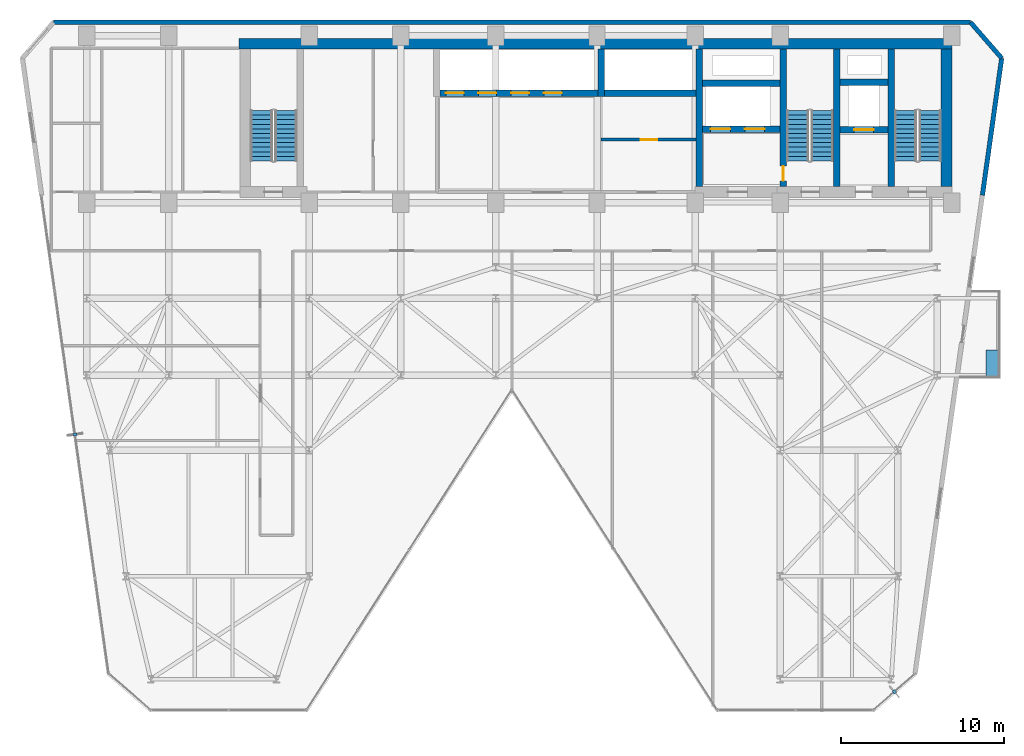
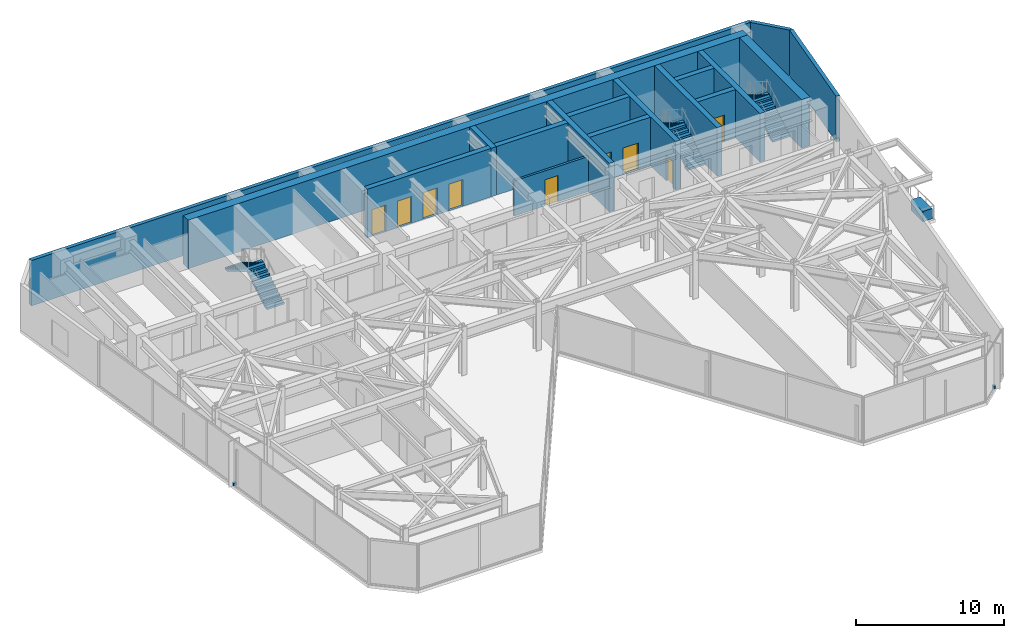
# One storey, part 23 of 26: 17 walls, 9 doors, 6 stair flights, 3 discrete accessories, 9 openings, 3 elements without a shape of their own.
"""IFC4 building model written with IfcOpenShell, lengths in metres."""

import ifcopenshell
import ifcopenshell.guid

model = None  # the IFC model being written
_history = None  # IfcOwnerHistory: only IFC2X3 demands one
_inside = {}  # id of a spatial element -> (the spatial element, [elements in it])
_under = {}  # id of a project, library or spatial element -> (it, [spatial elements below it])
_declared = {}  # id of a project -> (the project, [libraries it declares])
_typed = {}  # id of a type object -> (the type object, [elements of that type])
_made_of = {}  # id of a material, layer set ... -> (it, [elements and type objects made of it])


def new_model(schema):
    """Start an empty IFC model of exactly this schema.

    Asked for "IFC4X3", IfcOpenShell would pick the latest addendum, in which some entities
    have other attributes; the version numbers below select the first issue.
    IFC2X3 requires an IfcOwnerHistory on every rooted entity: one is made here for all.
    """
    global model, _history
    if schema == "IFC4X3":
        model = ifcopenshell.file(schema_version=(4, 3, 0, 0))
    else:
        model = ifcopenshell.file(schema=schema)
    _inside.clear()
    _under.clear()
    _declared.clear()
    _typed.clear()
    _made_of.clear()
    _history = None
    if model.schema == "IFC2X3":
        org = make("IfcOrganization", Name="unknown")
        user = make(
            "IfcPersonAndOrganization",
            ThePerson=make("IfcPerson", FamilyName="unknown"),
            TheOrganization=org,
        )
        app = make(
            "IfcApplication",
            ApplicationDeveloper=org,
            Version="unknown",
            ApplicationFullName="unknown",
            ApplicationIdentifier="unknown",
        )
        _history = make(
            "IfcOwnerHistory",
            OwningUser=user,
            OwningApplication=app,
            ChangeAction="ADDED",
            CreationDate=0,
        )
    return model


def make(cls, **values):
    """One entity of the class cls with the attributes given. An attribute that is None is left unset."""
    return model.create_entity(
        cls, **{name: value for name, value in values.items() if value is not None}
    )


def rooted(cls, **values):
    """An entity with a GlobalId (a new one), such as an element, a storey or a relation."""
    return make(cls, GlobalId=ifcopenshell.guid.new(), OwnerHistory=_history, **values)


def si_unit(unit_type, name, prefix=None):
    """IfcSIUnit, for example si_unit("LENGTHUNIT", "METRE", prefix="MILLI")."""
    return make("IfcSIUnit", UnitType=unit_type, Prefix=prefix, Name=name)


def assignment(units):
    """IfcUnitAssignment: the units of a project."""
    return None if units is None else make("IfcUnitAssignment", Units=units)


def point(xyz):
    """IfcCartesianPoint."""
    return None if xyz is None else make("IfcCartesianPoint", Coordinates=xyz)


def direction(xyz):
    """IfcDirection."""
    return None if xyz is None else make("IfcDirection", DirectionRatios=xyz)


def frame(location, z_axis=None, x_axis=None):
    """IfcAxis2Placement3D, a coordinate frame: its origin and axes. An axis left out is left unset."""
    return make(
        "IfcAxis2Placement3D",
        Location=point(location),
        Axis=direction(z_axis),
        RefDirection=direction(x_axis),
    )


def frame_2d(location, x_axis=None):
    """IfcAxis2Placement2D, a coordinate frame in the plane: its origin and x axis."""
    return make(
        "IfcAxis2Placement2D", Location=point(location), RefDirection=direction(x_axis)
    )


def origin():
    """The frame at (0, 0, 0) with its axes left unset."""
    return frame((0.0, 0.0, 0.0))


def origin_2d():
    """The frame at (0, 0) in the plane with its x axis left unset."""
    return frame_2d((0.0, 0.0))


def place(relative_to, where):
    """IfcLocalPlacement: puts the frame where relative to a parent placement (None: the world)."""
    return make(
        "IfcLocalPlacement", PlacementRelTo=relative_to, RelativePlacement=where
    )


def context(
    kind, dimensions, precision=None, world=None, true_north=None, identifier=None
):
    """IfcGeometricRepresentationContext, for example the 3D "Model" context."""
    return make(
        "IfcGeometricRepresentationContext",
        ContextIdentifier=identifier,
        ContextType=kind,
        CoordinateSpaceDimension=dimensions,
        Precision=precision,
        WorldCoordinateSystem=world,
        TrueNorth=true_north,
    )


def subcontext(parent, identifier, kind, view, scale=None):
    """IfcGeometricRepresentationSubContext, for example "Body" below "Model"."""
    return make(
        "IfcGeometricRepresentationSubContext",
        ContextIdentifier=identifier,
        ContextType=kind,
        ParentContext=parent,
        TargetScale=scale,
        TargetView=view,
    )


def project(units=None, contexts=None):
    """IfcProject with its units and contexts."""
    return rooted(
        "IfcProject",
        Name="project",
        RepresentationContexts=contexts,
        UnitsInContext=assignment(units),
    )


def spatial(cls, under=None, at=None, **own):
    """A site, building, storey or space (cls), placed at a placement, below another one or the project."""
    s = rooted(cls, ObjectPlacement=at, **own)
    if under is not None:
        _under.setdefault(under.id(), (under, []))[1].append(s)
    return s


def polyline(points):
    """IfcPolyline through the points."""
    return make("IfcPolyline", Points=[point(p) for p in points])


def profile(cls, at=None, kind="AREA", **sizes):
    """A parametric profile (cls). Its sizes go by their IFC names, for example OverallWidth=200.0."""
    return make(cls, ProfileType=kind, Position=at, **sizes)


def rectangle(**sizes):
    """IfcRectangleProfileDef."""
    return profile("IfcRectangleProfileDef", **sizes)


def outline(outer, holes=None, kind="AREA"):
    """IfcArbitraryClosedProfileDef: a profile drawn as a closed curve; with holes, ...WithVoids."""
    if holes is None:
        return make("IfcArbitraryClosedProfileDef", ProfileType=kind, OuterCurve=outer)
    return make(
        "IfcArbitraryProfileDefWithVoids",
        ProfileType=kind,
        OuterCurve=outer,
        InnerCurves=holes,
    )


def extrude(swept, where, along, depth):
    """IfcExtrudedAreaSolid: the profile swept, set in the frame where, extruded along a direction by depth."""
    return make(
        "IfcExtrudedAreaSolid",
        SweptArea=swept,
        Position=where,
        ExtrudedDirection=direction(along),
        Depth=depth,
    )


def shape(context_of_items, identifier, shape_type, items):
    """IfcShapeRepresentation: the items that make up one representation, for example the "Body"."""
    return make(
        "IfcShapeRepresentation",
        ContextOfItems=context_of_items,
        RepresentationIdentifier=identifier,
        RepresentationType=shape_type,
        Items=items,
    )


def material(Name=None, Category=None):
    """IfcMaterial."""
    return make("IfcMaterial", Name=Name, Category=Category)


def layer(
    of_material, thickness, ventilated=None, Name=None, Category=None, Priority=None
):
    """IfcMaterialLayer: one layer of a wall or slab, of a material (None: an air gap)."""
    return make(
        "IfcMaterialLayer",
        Material=of_material,
        LayerThickness=thickness,
        IsVentilated=ventilated,
        Name=Name,
        Category=Category,
        Priority=Priority,
    )


def layer_set(layers, Name=None):
    """IfcMaterialLayerSet."""
    return make("IfcMaterialLayerSet", MaterialLayers=layers, LayerSetName=Name)


def made_of(thing, what):
    """Note that an element or type object is made of a material, layer set ...; save() writes the relation."""
    if what is not None:
        _made_of.setdefault(what.id(), (what, []))[1].append(thing)
    return thing


def type_object(cls, material=None, **own):
    """A type object (cls), such as IfcWallType, which elements share."""
    return made_of(rooted(cls, **own), material)


def element(
    cls,
    number,
    at=None,
    inside=None,
    cuts=None,
    type_object=None,
    material=None,
    context=None,
    identifier="Body",
    shape_type=None,
    held_by="IfcProductDefinitionShape",
    body=None,
    shapes=None,
    **own,
):
    """One element of the class cls, such as IfcWall. Its Tag is "e" and its number.

    at: its placement. inside: the storey or other place that contains it. cuts: it is an
    opening in that element (IfcRelVoidsElement). A single representation is given by context,
    identifier, shape_type and body (its items); several are given by shapes. held_by: the class
    of the entity that holds the representations. save() writes the other relations.
    """
    e = rooted(cls, Tag="e%d" % number, ObjectPlacement=at, **own)
    if body is not None:
        shapes = [shape(context, identifier, shape_type, body)]
    if shapes is not None:
        e.Representation = make(held_by, Representations=shapes)
    if inside is not None:
        _inside.setdefault(inside.id(), (inside, []))[1].append(e)
    if cuts is not None:
        rooted(
            "IfcRelVoidsElement", RelatingBuildingElement=cuts, RelatedOpeningElement=e
        )
    if type_object is not None:
        _typed.setdefault(type_object.id(), (type_object, []))[1].append(e)
    return made_of(e, material)


def fill(opening, filler):
    """IfcRelFillsElement: the door or window that sits in an opening."""
    return rooted(
        "IfcRelFillsElement",
        RelatingOpeningElement=opening,
        RelatedBuildingElement=filler,
    )


def aggregate(whole, parts):
    """IfcRelAggregates: a whole, such as a stair, and the parts it consists of."""
    return rooted("IfcRelAggregates", RelatingObject=whole, RelatedObjects=parts)


def save(model, path):
    """Write the relations noted so far, then the file.

    IfcRelAggregates (storeys below a building ...), IfcRelContainedInSpatialStructure (elements
    in a storey), IfcRelDefinesByType, IfcRelAssociatesMaterial and IfcRelDeclares: one each for
    every whole, place, type object, material and project.
    """
    for whole, parts in _under.values():
        aggregate(whole, parts)
    for where, things in _inside.values():
        rooted(
            "IfcRelContainedInSpatialStructure",
            RelatedElements=things,
            RelatingStructure=where,
        )
    for kind, things in _typed.values():
        rooted("IfcRelDefinesByType", RelatedObjects=things, RelatingType=kind)
    for what, things in _made_of.values():
        rooted("IfcRelAssociatesMaterial", RelatedObjects=things, RelatingMaterial=what)
    for by, libraries in _declared.values():
        rooted("IfcRelDeclares", RelatingContext=by, RelatedDefinitions=libraries)
    model.write(path)


model = new_model("IFC4")

# Units and contexts
model_context = context("Model", 3, precision=1e-05, world=origin(), true_north=direction((0.0, 1.0)))
body_context = subcontext(model_context, "Body", "Model", "MODEL_VIEW")
ifc_project = project(units=[si_unit("LENGTHUNIT", "METRE"), si_unit("AREAUNIT", "SQUARE_METRE"), si_unit("VOLUMEUNIT", "CUBIC_METRE"), si_unit("PLANEANGLEUNIT", "RADIAN"), si_unit("MASSUNIT", "GRAM", prefix="KILO")], contexts=[model_context])

# Site, building, storey
site_placement = place(None, origin())
site = spatial("IfcSite", under=ifc_project, at=site_placement, CompositionType="ELEMENT")
building_placement = place(site_placement, origin())
building = spatial("IfcBuilding", under=site, at=building_placement, Name="Kravanh Interchange Tower", CompositionType="ELEMENT")
storey_placement = place(building_placement, frame((0.0, 0.0, 140.0)))
storey = spatial("IfcBuildingStorey", under=building, at=storey_placement, Name="L33", CompositionType="ELEMENT", Elevation=140.0)

# Walls
ifc_material_1 = material(Name="Concrete C70/85", Category="concrete")
ifc_layer_1 = layer(ifc_material_1, 0.64990234375)
ifc_layer_set_1 = layer_set([ifc_layer_1], Name="Core Shear Wall Concrete C70/85 650mm")
wall_type_1 = type_object("IfcWallType", Name="Core Shear Wall Concrete C70/85 650mm", PredefinedType="SHEAR", material=ifc_layer_set_1)
wall_1_placement = place(storey_placement, frame((22.89990234375, 47.074951171875, 0.0), z_axis=(0.0, 0.0, 1.0), x_axis=(1.0, 0.0, 0.0)))
element("IfcWall", 1, at=wall_1_placement, inside=storey, type_object=wall_type_1, Name="L33 North Core Shear Wall", PredefinedType="SHEAR", context=body_context, shape_type="SweptSolid", body=[
    extrude(rectangle(XDim=43.60009765625, YDim=0.64990234375, at=frame_2d((21.800048828125, 0.0))), origin(), (0.0, 0.0, 1.0), 4.0),
])
wall_2_placement = place(storey_placement, frame((66.175048828125, 38.324951171875, 0.0), z_axis=(0.0, 0.0, 1.0), x_axis=(0.0, 1.0, 0.0)))
element("IfcWall", 2, at=wall_2_placement, inside=storey, type_object=wall_type_1, Name="L33 Stair ST1 East Shear Wall", PredefinedType="SHEAR", context=body_context, shape_type="SweptSolid", body=[
    extrude(rectangle(XDim=8.425048828125, YDim=0.64990234375, at=frame_2d((4.21240234375, 0.0))), origin(), (0.0, 0.0, 1.0), 4.0),
])
ifc_material_2 = material(Name="Concrete C80/95", Category="concrete")
ifc_layer_2 = layer(ifc_material_2, 0.39990234375)
ifc_layer_set_2 = layer_set([ifc_layer_2], Name="Core Shear Wall Concrete C80/95 400mm")
wall_type_2 = type_object("IfcWallType", Name="Core Shear Wall Concrete C80/95 400mm", PredefinedType="SHEAR", material=ifc_layer_set_2)
for number, where, z_axis, x_axis, name in (
    (3, (62.800048828125, 38.324951171875, 0.0), (0.0, 0.0, 1.0), (0.0, 1.0, 0.0), "L33 Stair ST1 West Shear Wall"),
    (4, (59.449951171875, 38.324951171875, 0.0), (0.0, 0.0, 1.0), (0.0, 1.0, 0.0), "L33 Stair ST2 East Shear Wall"),
):
    element("IfcWall", number, at=place(storey_placement, frame(where, z_axis=z_axis, x_axis=x_axis)), inside=storey, type_object=wall_type_2, Name=name, PredefinedType="SHEAR", context=body_context, shape_type="SweptSolid", body=[
        extrude(rectangle(XDim=8.425048828125, YDim=0.39990234375, at=frame_2d((4.21240234375, 0.0))), origin(), (0.0, 0.0, 1.0), 4.0),
    ])

# Wall, opening, door
wall_3_placement = place(storey_placement, frame((56.199951171875, 38.324951171875, 0.0), z_axis=(0.0, 0.0, 1.0), x_axis=(0.0, 1.0, 0.0)))
wall_3 = element("IfcWall", 5, at=wall_3_placement, inside=storey, type_object=wall_type_2, Name="L33 Stair ST2 West Shear Wall", PredefinedType="SHEAR", context=body_context, shape_type="SweptSolid", body=[
    extrude(rectangle(XDim=8.425048828125, YDim=0.39990234375, at=frame_2d((4.21240234375, 0.0))), origin(), (0.0, 0.0, 1.0), 4.0),
])
opening_1_placement = place(wall_3_placement, frame((0.35498046875, 0.0, 0.0)))
opening_1 = element("IfcOpeningElement", 6, at=opening_1_placement, cuts=wall_3, Name="Opening D-STAIR-90", PredefinedType="OPENING", context=body_context, shape_type="SweptSolid", body=[
    extrude(rectangle(XDim=0.89990234375, YDim=2.14990234375, at=frame_2d((0.449951171875, 1.074951171875))), frame((0.0, 0.2099609375, 0.0), z_axis=(0.0, -1.0, 0.0), x_axis=(1.0, 0.0, 0.0)), (0.0, 0.0, 1.0), 0.419921875),
])
ifc_material_3 = material(Name="Structural Steel S355", Category="steel")
door_type_1 = type_object("IfcDoorType", Name="Fire-Rated Stair Lobby Door 900x2150", OperationType="NOTDEFINED", PredefinedType="DOOR", material=ifc_material_3)
door_1_placement = place(opening_1_placement, origin())
door_1 = element("IfcDoor", 7, at=door_1_placement, inside=storey, type_object=door_type_1, Name="L33 Firefighting Lobby to Stair ST2 Door", OperationType="SINGLE_SWING_LEFT", OverallHeight=2.14990234375, OverallWidth=0.89990234375, PredefinedType="DOOR", context=body_context, shape_type="SweptSolid", body=[
    extrude(rectangle(XDim=0.89990234375, YDim=2.14990234375, at=frame_2d((0.449951171875, 1.074951171875))), frame((0.0, 0.02490234375, 0.0), z_axis=(0.0, -1.0, 0.0), x_axis=(1.0, 0.0, 0.0)), (0.0, 0.0, 1.0), 0.050048828125),
])
fill(opening_1, door_1)

wall_4_placement = place(storey_placement, frame((59.64990234375, 41.800048828125, 0.0), z_axis=(0.0, 0.0, 1.0), x_axis=(1.0, 0.0, 0.0)))
wall_4 = element("IfcWall", 8, at=wall_4_placement, inside=storey, type_object=wall_type_2, Name="L33 Service Lift Shaft South Wall", PredefinedType="SHEAR", context=body_context, shape_type="SweptSolid", body=[
    extrude(rectangle(XDim=2.9501953125, YDim=0.39990234375, at=frame_2d((1.47509765625, 0.0))), origin(), (0.0, 0.0, 1.0), 4.0),
])
opening_2_placement = place(wall_4_placement, frame((0.8701171875, 0.0, 0.0)))
opening_2 = element("IfcOpeningElement", 9, at=opening_2_placement, cuts=wall_4, Name="Opening LD02", PredefinedType="OPENING", context=body_context, shape_type="SweptSolid", body=[
    extrude(rectangle(XDim=1.199951171875, YDim=2.199951171875, at=frame_2d((0.60009765625, 1.10009765625))), frame((0.0, 0.2099609375, 0.0), z_axis=(0.0, -1.0, 0.0), x_axis=(1.0, 0.0, 0.0)), (0.0, 0.0, 1.0), 0.419921875),
])
ifc_material_4 = material(Name="Stainless Steel 316", Category="steel")
door_type_2 = type_object("IfcDoorType", Name="Fire and Service Lift Sliding Landing Door 1200x2200", OperationType="DOUBLE_DOOR_SLIDING", PredefinedType="DOOR", material=ifc_material_4)
door_2_placement = place(opening_2_placement, origin())
door_2 = element("IfcDoor", 10, at=door_2_placement, inside=storey, type_object=door_type_2, Name="L33 Lift LS-01 Landing Door", OperationType="DOUBLE_DOOR_SLIDING", OverallHeight=2.199951171875, OverallWidth=1.199951171875, PredefinedType="DOOR", context=body_context, shape_type="SweptSolid", body=[
    extrude(rectangle(XDim=1.199951171875, YDim=2.199951171875, at=frame_2d((0.60009765625, 1.10009765625))), frame((0.0, 0.02490234375, 0.0), z_axis=(0.0, -1.0, 0.0), x_axis=(1.0, 0.0, 0.0)), (0.0, 0.0, 1.0), 0.050048828125),
])
fill(opening_2, door_2)

# Wall
wall_5_placement = place(storey_placement, frame((59.64990234375, 44.699951171875, 0.0), z_axis=(0.0, 0.0, 1.0), x_axis=(1.0, 0.0, 0.0)))
element("IfcWall", 11, at=wall_5_placement, inside=storey, type_object=wall_type_2, Name="L33 Service Lift Shaft North Wall", PredefinedType="SHEAR", context=body_context, shape_type="SweptSolid", body=[
    extrude(rectangle(XDim=2.9501953125, YDim=0.39990234375, at=frame_2d((1.47509765625, 0.0))), origin(), (0.0, 0.0, 1.0), 4.0),
])

# Wall, openings, doors
wall_6_placement = place(storey_placement, frame((51.25, 41.85009765625, 0.0), z_axis=(0.0, 0.0, 1.0), x_axis=(1.0, 0.0, 0.0)))
wall_6 = element("IfcWall", 12, at=wall_6_placement, inside=storey, type_object=wall_type_2, Name="L33 Fire Lift Shaft South Wall", PredefinedType="SHEAR", context=body_context, shape_type="SweptSolid", body=[
    extrude(rectangle(XDim=4.75, YDim=0.39990234375, at=frame_2d((2.375, 0.0))), origin(), (0.0, 0.0, 1.0), 4.0),
])
opening_3_placement = place(wall_6_placement, frame((0.5, 0.0, 0.0)))
opening_3 = element("IfcOpeningElement", 13, at=opening_3_placement, cuts=wall_6, Name="Opening LD02", PredefinedType="OPENING", context=body_context, shape_type="SweptSolid", body=[
    extrude(rectangle(XDim=1.199951171875, YDim=2.199951171875, at=frame_2d((0.60009765625, 1.10009765625))), frame((0.0, 0.2099609375, 0.0), z_axis=(0.0, -1.0, 0.0), x_axis=(1.0, 0.0, 0.0)), (0.0, 0.0, 1.0), 0.419921875),
])
opening_4_placement = place(wall_6_placement, frame((2.60009765625, 0.0, 0.0)))
opening_4 = element("IfcOpeningElement", 14, at=opening_4_placement, cuts=wall_6, Name="Opening LD02", PredefinedType="OPENING", context=body_context, shape_type="SweptSolid", body=[
    extrude(rectangle(XDim=1.199951171875, YDim=2.199951171875, at=frame_2d((0.60009765625, 1.10009765625))), frame((0.0, 0.2099609375, 0.0), z_axis=(0.0, -1.0, 0.0), x_axis=(1.0, 0.0, 0.0)), (0.0, 0.0, 1.0), 0.419921875),
])
door_3_placement = place(opening_3_placement, origin())
door_3 = element("IfcDoor", 15, at=door_3_placement, inside=storey, type_object=door_type_2, Name="L33 Lift FSAE-01 Landing Door", OperationType="DOUBLE_DOOR_SLIDING", OverallHeight=2.199951171875, OverallWidth=1.199951171875, PredefinedType="DOOR", context=body_context, shape_type="SweptSolid", body=[
    extrude(rectangle(XDim=1.199951171875, YDim=2.199951171875, at=frame_2d((0.60009765625, 1.10009765625))), frame((0.0, 0.02490234375, 0.0), z_axis=(0.0, -1.0, 0.0), x_axis=(1.0, 0.0, 0.0)), (0.0, 0.0, 1.0), 0.050048828125),
])
fill(opening_3, door_3)
door_4_placement = place(opening_4_placement, origin())
door_4 = element("IfcDoor", 16, at=door_4_placement, inside=storey, type_object=door_type_2, Name="L33 Lift FSAE-02 Landing Door", OperationType="DOUBLE_DOOR_SLIDING", OverallHeight=2.199951171875, OverallWidth=1.199951171875, PredefinedType="DOOR", context=body_context, shape_type="SweptSolid", body=[
    extrude(rectangle(XDim=1.199951171875, YDim=2.199951171875, at=frame_2d((0.60009765625, 1.10009765625))), frame((0.0, 0.02490234375, 0.0), z_axis=(0.0, -1.0, 0.0), x_axis=(1.0, 0.0, 0.0)), (0.0, 0.0, 1.0), 0.050048828125),
])
fill(opening_4, door_4)

# Walls
wall_7_placement = place(storey_placement, frame((51.25, 44.64990234375, 0.0), z_axis=(0.0, 0.0, 1.0), x_axis=(1.0, 0.0, 0.0)))
element("IfcWall", 17, at=wall_7_placement, inside=storey, type_object=wall_type_2, Name="L33 Fire Lift Shaft North Wall", PredefinedType="SHEAR", context=body_context, shape_type="SweptSolid", body=[
    extrude(rectangle(XDim=4.75, YDim=0.39990234375, at=frame_2d((2.375, 0.0))), origin(), (0.0, 0.0, 1.0), 4.0),
])
wall_8_placement = place(storey_placement, frame((51.050048828125, 38.324951171875, 0.0), z_axis=(0.0, 0.0, 1.0), x_axis=(0.0, 1.0, 0.0)))
element("IfcWall", 18, at=wall_8_placement, inside=storey, type_object=wall_type_2, Name="L33 Firefighting Lobby West Wall", PredefinedType="SHEAR", context=body_context, shape_type="SweptSolid", body=[
    extrude(rectangle(XDim=8.425048828125, YDim=0.39990234375, at=frame_2d((4.21240234375, 0.0))), origin(), (0.0, 0.0, 1.0), 4.0),
])
wall_9_placement = place(storey_placement, frame((45.25, 44.050048828125, 0.0), z_axis=(0.0, 0.0, 1.0), x_axis=(1.0, 0.0, 0.0)))
element("IfcWall", 19, at=wall_9_placement, inside=storey, type_object=wall_type_2, Name="L33 High-Rise Lift Shaft South Wall", PredefinedType="SHEAR", context=body_context, shape_type="SweptSolid", body=[
    extrude(rectangle(XDim=5.60009765625, YDim=0.39990234375, at=frame_2d((2.800048828125, 0.0))), origin(), (0.0, 0.0, 1.0), 4.0),
])
wall_10_placement = place(storey_placement, frame((45.050048828125, 43.85009765625, 0.0), z_axis=(0.0, 0.0, 1.0), x_axis=(0.0, 1.0, 0.0)))
element("IfcWall", 20, at=wall_10_placement, inside=storey, type_object=wall_type_2, Name="L33 High-Rise Lift Shaft West Wall", PredefinedType="SHEAR", context=body_context, shape_type="SweptSolid", body=[
    extrude(rectangle(XDim=2.89990234375, YDim=0.39990234375, at=frame_2d((1.449951171875, 0.0))), origin(), (0.0, 0.0, 1.0), 4.0),
])

# Wall, openings, doors
wall_11_placement = place(storey_placement, frame((35.199951171875, 44.050048828125, 0.0), z_axis=(0.0, 0.0, 1.0), x_axis=(1.0, 0.0, 0.0)))
wall_11 = element("IfcWall", 21, at=wall_11_placement, inside=storey, type_object=wall_type_2, Name="L33 Mid-Rise Lift Shaft South Wall", PredefinedType="SHEAR", context=body_context, shape_type="SweptSolid", body=[
    extrude(rectangle(XDim=9.650146484375, YDim=0.39990234375, at=frame_2d((4.8251953125, 0.0))), origin(), (0.0, 0.0, 1.0), 4.0),
])
opening_5_placement = place(wall_11_placement, frame((0.35009765625, 0.0, 0.0)))
opening_5 = element("IfcOpeningElement", 22, at=opening_5_placement, cuts=wall_11, Name="Opening LD01", PredefinedType="OPENING", context=body_context, shape_type="SweptSolid", body=[
    extrude(rectangle(XDim=1.10009765625, YDim=2.199951171875, at=frame_2d((0.550048828125, 1.10009765625))), frame((0.0, 0.2099609375, 0.0), z_axis=(0.0, -1.0, 0.0), x_axis=(1.0, 0.0, 0.0)), (0.0, 0.0, 1.0), 0.419921875),
])
opening_6_placement = place(wall_11_placement, frame((2.35009765625, 0.0, 0.0)))
opening_6 = element("IfcOpeningElement", 23, at=opening_6_placement, cuts=wall_11, Name="Opening LD01", PredefinedType="OPENING", context=body_context, shape_type="SweptSolid", body=[
    extrude(rectangle(XDim=1.10009765625, YDim=2.199951171875, at=frame_2d((0.550048828125, 1.10009765625))), frame((0.0, 0.2099609375, 0.0), z_axis=(0.0, -1.0, 0.0), x_axis=(1.0, 0.0, 0.0)), (0.0, 0.0, 1.0), 0.419921875),
])
opening_7_placement = place(wall_11_placement, frame((4.35009765625, 0.0, 0.0)))
opening_7 = element("IfcOpeningElement", 24, at=opening_7_placement, cuts=wall_11, Name="Opening LD01", PredefinedType="OPENING", context=body_context, shape_type="SweptSolid", body=[
    extrude(rectangle(XDim=1.10009765625, YDim=2.199951171875, at=frame_2d((0.550048828125, 1.10009765625))), frame((0.0, 0.2099609375, 0.0), z_axis=(0.0, -1.0, 0.0), x_axis=(1.0, 0.0, 0.0)), (0.0, 0.0, 1.0), 0.419921875),
])
opening_8_placement = place(wall_11_placement, frame((6.35009765625, 0.0, 0.0)))
opening_8 = element("IfcOpeningElement", 25, at=opening_8_placement, cuts=wall_11, Name="Opening LD01", PredefinedType="OPENING", context=body_context, shape_type="SweptSolid", body=[
    extrude(rectangle(XDim=1.10009765625, YDim=2.199951171875, at=frame_2d((0.550048828125, 1.10009765625))), frame((0.0, 0.2099609375, 0.0), z_axis=(0.0, -1.0, 0.0), x_axis=(1.0, 0.0, 0.0)), (0.0, 0.0, 1.0), 0.419921875),
])
ifc_material_5 = material(Name="Stainless Steel 304", Category="steel")
door_type_3 = type_object("IfcDoorType", Name="Passenger Lift Sliding Landing Door 1100x2200", OperationType="DOUBLE_DOOR_SLIDING", PredefinedType="DOOR", material=ifc_material_5)
door_5_placement = place(opening_5_placement, origin())
door_5 = element("IfcDoor", 26, at=door_5_placement, inside=storey, type_object=door_type_3, Name="L33 Lift LP-M1 Landing Door", OperationType="DOUBLE_DOOR_SLIDING", OverallHeight=2.199951171875, OverallWidth=1.10009765625, PredefinedType="DOOR", context=body_context, shape_type="SweptSolid", body=[
    extrude(rectangle(XDim=1.10009765625, YDim=2.199951171875, at=frame_2d((0.550048828125, 1.10009765625))), frame((0.0, 0.02490234375, 0.0), z_axis=(0.0, -1.0, 0.0), x_axis=(1.0, 0.0, 0.0)), (0.0, 0.0, 1.0), 0.050048828125),
])
fill(opening_5, door_5)
door_6_placement = place(opening_6_placement, origin())
door_6 = element("IfcDoor", 27, at=door_6_placement, inside=storey, type_object=door_type_3, Name="L33 Lift LP-M2 Landing Door", OperationType="DOUBLE_DOOR_SLIDING", OverallHeight=2.199951171875, OverallWidth=1.10009765625, PredefinedType="DOOR", context=body_context, shape_type="SweptSolid", body=[
    extrude(rectangle(XDim=1.10009765625, YDim=2.199951171875, at=frame_2d((0.550048828125, 1.10009765625))), frame((0.0, 0.02490234375, 0.0), z_axis=(0.0, -1.0, 0.0), x_axis=(1.0, 0.0, 0.0)), (0.0, 0.0, 1.0), 0.050048828125),
])
fill(opening_6, door_6)
door_7_placement = place(opening_7_placement, origin())
door_7 = element("IfcDoor", 28, at=door_7_placement, inside=storey, type_object=door_type_3, Name="L33 Lift LP-M3 Landing Door", OperationType="DOUBLE_DOOR_SLIDING", OverallHeight=2.199951171875, OverallWidth=1.10009765625, PredefinedType="DOOR", context=body_context, shape_type="SweptSolid", body=[
    extrude(rectangle(XDim=1.10009765625, YDim=2.199951171875, at=frame_2d((0.550048828125, 1.10009765625))), frame((0.0, 0.02490234375, 0.0), z_axis=(0.0, -1.0, 0.0), x_axis=(1.0, 0.0, 0.0)), (0.0, 0.0, 1.0), 0.050048828125),
])
fill(opening_7, door_7)
door_8_placement = place(opening_8_placement, origin())
door_8 = element("IfcDoor", 29, at=door_8_placement, inside=storey, type_object=door_type_3, Name="L33 Lift LP-M4 Landing Door", OperationType="DOUBLE_DOOR_SLIDING", OverallHeight=2.199951171875, OverallWidth=1.10009765625, PredefinedType="DOOR", context=body_context, shape_type="SweptSolid", body=[
    extrude(rectangle(XDim=1.10009765625, YDim=2.199951171875, at=frame_2d((0.550048828125, 1.10009765625))), frame((0.0, 0.02490234375, 0.0), z_axis=(0.0, -1.0, 0.0), x_axis=(1.0, 0.0, 0.0)), (0.0, 0.0, 1.0), 0.050048828125),
])
fill(opening_8, door_8)

# Walls
ifc_material_6 = material(Name="Insulated Precast Concrete C40/50 with Bronze Cladding", Category="concrete")
ifc_layer_3 = layer(ifc_material_6, 0.280029296875)
ifc_layer_set_3 = layer_set([ifc_layer_3], Name="Exterior Insulated Concrete C40/50 Bronze Spandrel Wall 280mm")
wall_type_3 = type_object("IfcWallType", Name="Exterior Insulated Concrete C40/50 Bronze Spandrel Wall 280mm", PredefinedType="STANDARD", material=ifc_layer_set_3)
wall_12_placement = place(storey_placement, frame((11.5546875, 48.3798828125, 0.0), z_axis=(0.0, 0.0, 1.0), x_axis=(1.0, 0.0, 0.0)))
element("IfcWall", 30, at=wall_12_placement, inside=storey, type_object=wall_type_3, Name="L33 Exterior Wall 3", PredefinedType="STANDARD", context=body_context, shape_type="SweptSolid", body=[
    extrude(rectangle(XDim=56.090576171875, YDim=0.280029296875, at=frame_2d((28.04541015625, 0.0))), origin(), (0.0, 0.0, 1.0), 3.75),
])
wall_13_placement = place(storey_placement, frame((67.645263671875, 48.3798828125, 0.0), z_axis=(0.0, 0.0, 1.0), x_axis=(0.656070644076, -0.754699483226, 0.0)))
element("IfcWall", 31, at=wall_13_placement, inside=storey, type_object=wall_type_3, Name="L33 Exterior Wall 4", PredefinedType="STANDARD", context=body_context, shape_type="SweptSolid", body=[
    extrude(rectangle(XDim=2.908447265625, YDim=0.280029296875, at=frame_2d((1.4541015625, 0.0))), origin(), (0.0, 0.0, 1.0), 3.75),
])
wall_14_placement = place(storey_placement, frame((69.553466796875, 46.184814453125, 0.0), z_axis=(0.0, 0.0, 1.0), x_axis=(-0.139180610108, -0.990267013371, 0.0)))
element("IfcWall", 32, at=wall_14_placement, inside=storey, type_object=wall_type_3, Name="L33 Exterior Wall 5", PredefinedType="STANDARD", context=body_context, shape_type="SweptSolid", body=[
    extrude(rectangle(XDim=8.46728515625, YDim=0.280029296875, at=frame_2d((4.233642578125, 0.0))), origin(), (0.0, 0.0, 1.0), 3.75),
])

# Wall, opening, door
ifc_material_7 = material(Name="Autoclaved Aerated Concrete C30/37 Blockwork", Category="masonry")
ifc_layer_4 = layer(ifc_material_7, 0.179931640625)
ifc_layer_set_4 = layer_set([ifc_layer_4], Name="Fire-Rated Lobby and Corridor Wall Concrete C30/37 180mm")
wall_type_4 = type_object("IfcWallType", Name="Fire-Rated Lobby and Corridor Wall Concrete C30/37 180mm", PredefinedType="STANDARD", material=ifc_layer_set_4)
wall_15_placement = place(storey_placement, frame((45.050048828125, 41.199951171875, 0.0), z_axis=(0.0, 0.0, 1.0), x_axis=(1.0, 0.0, 0.0)))
wall_15 = element("IfcWall", 33, at=wall_15_placement, inside=storey, type_object=wall_type_4, Name="L33 Interior Partition 2", PredefinedType="STANDARD", context=body_context, shape_type="SweptSolid", body=[
    extrude(rectangle(XDim=5.7919921875, YDim=0.179931640625, at=frame_2d((2.89599609375, 0.0))), origin(), (0.0, 0.0, 1.0), 2.89404296875),
])
opening_9_placement = place(wall_15_placement, frame((2.425048828125, 0.0, 0.0)))
opening_9 = element("IfcOpeningElement", 34, at=opening_9_placement, cuts=wall_15, Name="Opening D-HOTEL-100", PredefinedType="OPENING", context=body_context, shape_type="SweptSolid", body=[
    extrude(rectangle(XDim=1.0, YDim=2.14990234375, at=frame_2d((0.5, 1.074951171875))), frame((0.0, 0.10009765625, 0.0), z_axis=(0.0, -1.0, 0.0), x_axis=(1.0, 0.0, 0.0)), (0.0, 0.0, 1.0), 0.199951171875),
])
ifc_material_8 = material(Name="Fire-Rated Solid Timber Leaf", Category="wood")
door_type_4 = type_object("IfcDoorType", Name="Fire-Rated Suite Entrance Door 1000x2150", OperationType="NOTDEFINED", PredefinedType="DOOR", material=ifc_material_8)
door_9_placement = place(opening_9_placement, origin())
door_9 = element("IfcDoor", 35, at=door_9_placement, inside=storey, type_object=door_type_4, Name="L33 Core Telecom Inner Door", OperationType="SINGLE_SWING_RIGHT", OverallHeight=2.14990234375, OverallWidth=1.0, PredefinedType="DOOR", context=body_context, shape_type="SweptSolid", body=[
    extrude(rectangle(XDim=1.0, YDim=2.14990234375, at=frame_2d((0.5, 1.074951171875))), frame((0.0, 0.02490234375, 0.0), z_axis=(0.0, -1.0, 0.0), x_axis=(1.0, 0.0, 0.0)), (0.0, 0.0, 1.0), 0.050048828125),
])
fill(opening_9, door_9)

# Stair, stair flights
ifc_material_9 = material(Name="Concrete C50/60", Category="concrete")
stair_type = type_object("IfcStairType", Name="Core Fire Exit Dogleg Stair Concrete C50/60", PredefinedType="HALF_TURN_STAIR", material=ifc_material_9)
stair_1_placement = place(storey_placement, origin())
stair_1 = element("IfcStair", 36, at=stair_1_placement, inside=storey, type_object=stair_type, Name="L33 Exit Stair ST1", PredefinedType="HALF_TURN_STAIR")
ifc_material_10 = material(Name="Precast Concrete C50/60", Category="concrete")
ifc_layer_5 = layer(ifc_material_10, 0.199951171875)
ifc_layer_set_5 = layer_set([ifc_layer_5], Name="Precast Concrete C50/60 Stair Flight 1350mm")
stair_flight_type = type_object("IfcStairFlightType", Name="Precast Concrete C50/60 Stair Flight 1350mm", PredefinedType="STRAIGHT", material=ifc_layer_set_5)
stair_flight_1_placement = place(storey_placement, frame((65.175048828125, 39.89990234375, 0.0), z_axis=(0.0, 0.0, 1.0), x_axis=(0.0, 1.0, 0.0)))
stair_flight_1 = element("IfcStairFlight", 37, at=stair_flight_1_placement, type_object=stair_flight_type, Name="ST1 flight 1", NumberOfRisers=12, NumberOfTreads=11, PredefinedType="STRAIGHT", RiserHeight=0.166666667, TreadLength=0.28, context=body_context, shape_type="SweptSolid", body=[
    extrude(outline(polyline([(0.0, 0.0), (0.0, 0.166748046875), (0.280029296875, 0.166748046875), (0.280029296875, 0.333251953125), (0.56005859375, 0.333251953125), (0.56005859375, 0.5), (0.840087890625, 0.5), (0.840087890625, 0.666748046875), (1.1201171875, 0.666748046875), (1.1201171875, 0.833251953125), (1.39990234375, 0.833251953125), (1.39990234375, 1.0), (1.679931640625, 1.0), (1.679931640625, 1.166748046875), (1.9599609375, 1.166748046875), (1.9599609375, 1.333251953125), (2.239990234375, 1.333251953125), (2.239990234375, 1.5), (2.52001953125, 1.5), (2.52001953125, 1.666748046875), (2.800048828125, 1.666748046875), (2.800048828125, 1.833251953125), (3.080078125, 1.833251953125), (3.080078125, 2.0), (3.080078125, 1.658935546875), (0.29296875, 0.0), (0.0, 0.0)])), frame((0.0, 0.675048828125, 0.0), z_axis=(0.0, -1.0, 0.0), x_axis=(1.0, 0.0, 0.0)), (0.0, 0.0, 1.0), 1.35009765625),
])
stair_flight_2_placement = place(storey_placement, frame((63.675048828125, 42.97998046875, 2.0), z_axis=(0.0, 0.0, 1.0), x_axis=(0.0, -1.0, 0.0)))
stair_flight_2 = element("IfcStairFlight", 38, at=stair_flight_2_placement, type_object=stair_flight_type, Name="ST1 flight 2", NumberOfRisers=12, NumberOfTreads=11, PredefinedType="STRAIGHT", RiserHeight=0.166666667, TreadLength=0.28, context=body_context, shape_type="SweptSolid", body=[
    extrude(outline(polyline([(0.0, 0.0), (0.0, 0.166748046875), (0.280029296875, 0.166748046875), (0.280029296875, 0.333251953125), (0.56005859375, 0.333251953125), (0.56005859375, 0.5), (0.840087890625, 0.5), (0.840087890625, 0.666748046875), (1.1201171875, 0.666748046875), (1.1201171875, 0.833251953125), (1.39990234375, 0.833251953125), (1.39990234375, 1.0), (1.679931640625, 1.0), (1.679931640625, 1.166748046875), (1.9599609375, 1.166748046875), (1.9599609375, 1.333251953125), (2.239990234375, 1.333251953125), (2.239990234375, 1.5), (2.52001953125, 1.5), (2.52001953125, 1.666748046875), (2.800048828125, 1.666748046875), (2.800048828125, 1.833251953125), (3.080078125, 1.833251953125), (3.080078125, 2.0), (3.080078125, 1.658935546875), (0.29296875, 0.0), (0.0, 0.0)])), frame((0.0, 0.675048828125, 0.0), z_axis=(0.0, -1.0, 0.0), x_axis=(1.0, 0.0, 0.0)), (0.0, 0.0, 1.0), 1.35009765625),
])
aggregate(stair_1, [stair_flight_1, stair_flight_2])

stair_2_placement = place(storey_placement, origin())
stair_2 = element("IfcStair", 39, at=stair_2_placement, inside=storey, type_object=stair_type, Name="L33 Exit Stair ST2", PredefinedType="HALF_TURN_STAIR")
stair_flight_3_placement = place(storey_placement, frame((58.574951171875, 39.89990234375, 0.0), z_axis=(0.0, 0.0, 1.0), x_axis=(0.0, 1.0, 0.0)))
stair_flight_3 = element("IfcStairFlight", 40, at=stair_flight_3_placement, type_object=stair_flight_type, Name="ST2 flight 1", NumberOfRisers=12, NumberOfTreads=11, PredefinedType="STRAIGHT", RiserHeight=0.166666667, TreadLength=0.28, context=body_context, shape_type="SweptSolid", body=[
    extrude(outline(polyline([(0.0, 0.0), (0.0, 0.166748046875), (0.280029296875, 0.166748046875), (0.280029296875, 0.333251953125), (0.56005859375, 0.333251953125), (0.56005859375, 0.5), (0.840087890625, 0.5), (0.840087890625, 0.666748046875), (1.1201171875, 0.666748046875), (1.1201171875, 0.833251953125), (1.39990234375, 0.833251953125), (1.39990234375, 1.0), (1.679931640625, 1.0), (1.679931640625, 1.166748046875), (1.9599609375, 1.166748046875), (1.9599609375, 1.333251953125), (2.239990234375, 1.333251953125), (2.239990234375, 1.5), (2.52001953125, 1.5), (2.52001953125, 1.666748046875), (2.800048828125, 1.666748046875), (2.800048828125, 1.833251953125), (3.080078125, 1.833251953125), (3.080078125, 2.0), (3.080078125, 1.658935546875), (0.29296875, 0.0), (0.0, 0.0)])), frame((0.0, 0.675048828125, 0.0), z_axis=(0.0, -1.0, 0.0), x_axis=(1.0, 0.0, 0.0)), (0.0, 0.0, 1.0), 1.35009765625),
])
stair_flight_4_placement = place(storey_placement, frame((57.074951171875, 42.97998046875, 2.0), z_axis=(0.0, 0.0, 1.0), x_axis=(0.0, -1.0, 0.0)))
stair_flight_4 = element("IfcStairFlight", 41, at=stair_flight_4_placement, type_object=stair_flight_type, Name="ST2 flight 2", NumberOfRisers=12, NumberOfTreads=11, PredefinedType="STRAIGHT", RiserHeight=0.166666667, TreadLength=0.28, context=body_context, shape_type="SweptSolid", body=[
    extrude(outline(polyline([(0.0, 0.0), (0.0, 0.166748046875), (0.280029296875, 0.166748046875), (0.280029296875, 0.333251953125), (0.56005859375, 0.333251953125), (0.56005859375, 0.5), (0.840087890625, 0.5), (0.840087890625, 0.666748046875), (1.1201171875, 0.666748046875), (1.1201171875, 0.833251953125), (1.39990234375, 0.833251953125), (1.39990234375, 1.0), (1.679931640625, 1.0), (1.679931640625, 1.166748046875), (1.9599609375, 1.166748046875), (1.9599609375, 1.333251953125), (2.239990234375, 1.333251953125), (2.239990234375, 1.5), (2.52001953125, 1.5), (2.52001953125, 1.666748046875), (2.800048828125, 1.666748046875), (2.800048828125, 1.833251953125), (3.080078125, 1.833251953125), (3.080078125, 2.0), (3.080078125, 1.658935546875), (0.29296875, 0.0), (0.0, 0.0)])), frame((0.0, 0.675048828125, 0.0), z_axis=(0.0, -1.0, 0.0), x_axis=(1.0, 0.0, 0.0)), (0.0, 0.0, 1.0), 1.35009765625),
])
aggregate(stair_2, [stair_flight_3, stair_flight_4])

stair_3_placement = place(storey_placement, origin())
stair_3 = element("IfcStair", 42, at=stair_3_placement, inside=storey, type_object=stair_type, Name="L33 Exit Stair ST3", PredefinedType="HALF_TURN_STAIR")
stair_flight_5_placement = place(storey_placement, frame((25.77490234375, 39.89990234375, 0.0), z_axis=(0.0, 0.0, 1.0), x_axis=(0.0, 1.0, 0.0)))
stair_flight_5 = element("IfcStairFlight", 43, at=stair_flight_5_placement, type_object=stair_flight_type, Name="ST3 flight 1", NumberOfRisers=12, NumberOfTreads=11, PredefinedType="STRAIGHT", RiserHeight=0.166666667, TreadLength=0.28, context=body_context, shape_type="SweptSolid", body=[
    extrude(outline(polyline([(0.0, 0.0), (0.0, 0.166748046875), (0.280029296875, 0.166748046875), (0.280029296875, 0.333251953125), (0.56005859375, 0.333251953125), (0.56005859375, 0.5), (0.840087890625, 0.5), (0.840087890625, 0.666748046875), (1.1201171875, 0.666748046875), (1.1201171875, 0.833251953125), (1.39990234375, 0.833251953125), (1.39990234375, 1.0), (1.679931640625, 1.0), (1.679931640625, 1.166748046875), (1.9599609375, 1.166748046875), (1.9599609375, 1.333251953125), (2.239990234375, 1.333251953125), (2.239990234375, 1.5), (2.52001953125, 1.5), (2.52001953125, 1.666748046875), (2.800048828125, 1.666748046875), (2.800048828125, 1.833251953125), (3.080078125, 1.833251953125), (3.080078125, 2.0), (3.080078125, 1.658935546875), (0.29296875, 0.0), (0.0, 0.0)])), frame((0.0, 0.675048828125, 0.0), z_axis=(0.0, -1.0, 0.0), x_axis=(1.0, 0.0, 0.0)), (0.0, 0.0, 1.0), 1.35009765625),
])
stair_flight_6_placement = place(storey_placement, frame((24.27490234375, 42.97998046875, 2.0), z_axis=(0.0, 0.0, 1.0), x_axis=(0.0, -1.0, 0.0)))
stair_flight_6 = element("IfcStairFlight", 44, at=stair_flight_6_placement, type_object=stair_flight_type, Name="ST3 flight 2", NumberOfRisers=12, NumberOfTreads=11, PredefinedType="STRAIGHT", RiserHeight=0.166666667, TreadLength=0.28, context=body_context, shape_type="SweptSolid", body=[
    extrude(outline(polyline([(0.0, 0.0), (0.0, 0.166748046875), (0.280029296875, 0.166748046875), (0.280029296875, 0.333251953125), (0.56005859375, 0.333251953125), (0.56005859375, 0.5), (0.840087890625, 0.5), (0.840087890625, 0.666748046875), (1.1201171875, 0.666748046875), (1.1201171875, 0.833251953125), (1.39990234375, 0.833251953125), (1.39990234375, 1.0), (1.679931640625, 1.0), (1.679931640625, 1.166748046875), (1.9599609375, 1.166748046875), (1.9599609375, 1.333251953125), (2.239990234375, 1.333251953125), (2.239990234375, 1.5), (2.52001953125, 1.5), (2.52001953125, 1.666748046875), (2.800048828125, 1.666748046875), (2.800048828125, 1.833251953125), (3.080078125, 1.833251953125), (3.080078125, 2.0), (3.080078125, 1.658935546875), (0.29296875, 0.0), (0.0, 0.0)])), frame((0.0, 0.675048828125, 0.0), z_axis=(0.0, -1.0, 0.0), x_axis=(1.0, 0.0, 0.0)), (0.0, 0.0, 1.0), 1.35009765625),
])
aggregate(stair_3, [stair_flight_5, stair_flight_6])

# Discrete accessories
ifc_material_11 = material(Name="Stainless Steel 316", Category="steel")
discrete_accessory_type_1 = type_object("IfcDiscreteAccessoryType", Name="Solar Fin Curtain-Wall Mounting Bracket Stainless 316", PredefinedType="BRACKET", material=ifc_material_11)
for number, where, z_axis, x_axis, name in (
    (45, (12.881103515625, 23.16943359375, 0.0), (0.0, 0.0, 1.0), (-0.990268017027, -0.139173468924, 0.0), "L33 Solar Fin Mounting Bracket 1"),
    (46, (62.986328125, 7.429443359375, 0.0), (0.0, 0.0, 1.0), (0.656056045951, -0.754712173329, 0.0), "L33 Solar Fin Mounting Bracket 2"),
):
    element("IfcDiscreteAccessory", number, at=place(storey_placement, frame(where, z_axis=z_axis, x_axis=x_axis)), inside=storey, type_object=discrete_accessory_type_1, Name=name, PredefinedType="BRACKET", context=body_context, shape_type="SweptSolid", body=[
        extrude(rectangle(XDim=0.239990234375, YDim=0.179931640625, at=origin_2d()), origin(), (0.0, 0.0, 1.0), 0.219970703125),
    ])
ifc_material_12 = material(Name="Architectural GRC Concrete C40/50 with Root Barrier", Category="concrete")
discrete_accessory_type_2 = type_object("IfcDiscreteAccessoryType", Name="Structural Balcony Tree Planter Box Concrete C40/50 1600x750x850", PredefinedType="USERDEFINED", material=ifc_material_12)
discrete_accessory_placement = place(storey_placement, frame((68.969970703125, 27.5400390625, 0.0), z_axis=(0.0, 0.0, 1.0), x_axis=(1.0, 0.0, 0.0)))
element("IfcDiscreteAccessory", 47, at=discrete_accessory_placement, inside=storey, type_object=discrete_accessory_type_2, Name="L33 E Balcony TREE PLANTER", ObjectType="PLANTER", PredefinedType="USERDEFINED", context=body_context, shape_type="SweptSolid", body=[
    extrude(rectangle(XDim=0.75, YDim=1.60009765625, at=origin_2d()), origin(), (0.0, 0.0, 1.0), 0.85009765625),
])

save(model, "model.ifc")
